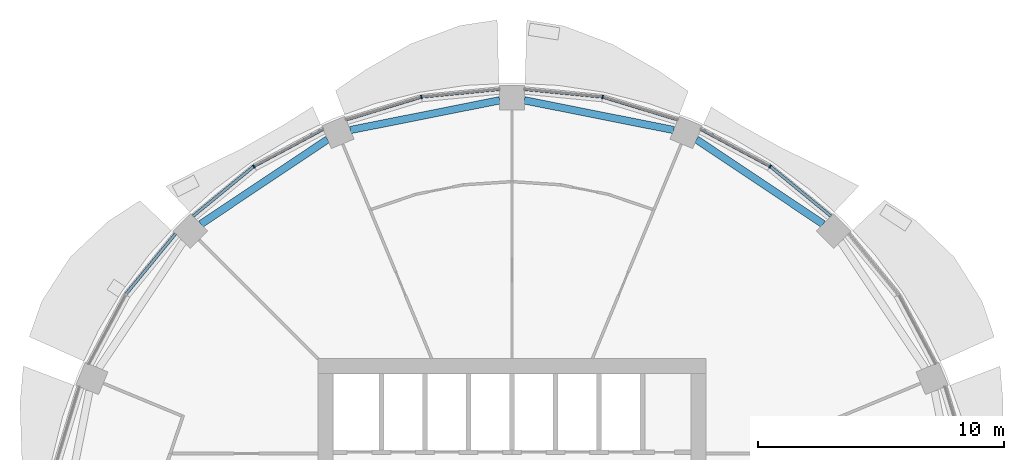
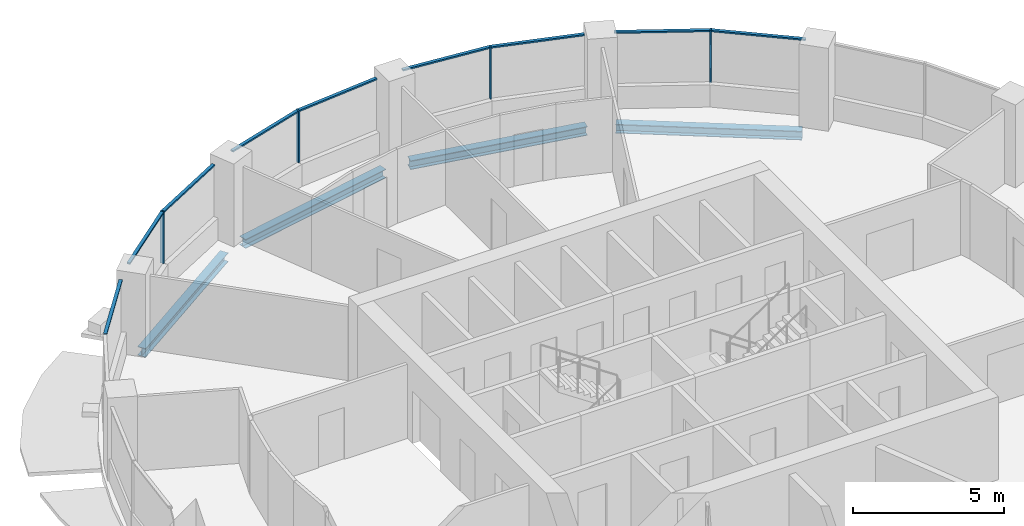
# One storey, part 6 of 15: 13 members, 4 beams, 5 elements without a shape of their own.
"""IFC4 building model written with IfcOpenShell, lengths in metres."""

from ifc_helpers import new_model, si_unit, direction, frame, origin, origin_2d, place, context, subcontext, project, spatial, rectangle, i_section, extrude, material, material_profile, profile_set, type_object, element, aggregate, save


model = new_model("IFC4")

# Units and contexts
model_context = context("Model", 3, precision=1e-05, world=origin(), true_north=direction((0.0, 1.0)))
body_context = subcontext(model_context, "Body", "Model", "MODEL_VIEW")
ifc_project = project(units=[si_unit("LENGTHUNIT", "METRE"), si_unit("AREAUNIT", "SQUARE_METRE"), si_unit("VOLUMEUNIT", "CUBIC_METRE"), si_unit("PLANEANGLEUNIT", "RADIAN"), si_unit("MASSUNIT", "GRAM", prefix="KILO")], contexts=[model_context])

# Site, building, storey
site_placement = place(None, origin())
site = spatial("IfcSite", under=ifc_project, at=site_placement, CompositionType="ELEMENT")
building_placement = place(site_placement, origin())
building = spatial("IfcBuilding", under=site, at=building_placement, Name="Polderwave Tower", CompositionType="ELEMENT")
storey_placement = place(building_placement, frame((0.0, 0.0, 124.300048828125)))
storey = spatial("IfcBuildingStorey", under=building, at=storey_placement, Name="L32", CompositionType="ELEMENT", Elevation=124.300048828125)

# Curtain wall, member
ifc_material_1 = material(Name="Aluminium 6063-T6 and glass", Category="aluminium")
curtain_wall_type = type_object("IfcCurtainWallType", Name="Office ribbon glazing wall", PredefinedType="NOTDEFINED", material=ifc_material_1)
curtain_wall_1_placement = place(storey_placement, origin())
curtain_wall_1 = element("IfcCurtainWall", 1, at=curtain_wall_1_placement, inside=storey, type_object=curtain_wall_type, Name="CW3 L32 02", PredefinedType="NOTDEFINED")
ifc_material_2 = material(Name="Aluminium 6063-T6", Category="aluminium")
ifc_material_profile_1 = material_profile(ifc_material_2, rectangle(XDim=0.139892578125, YDim=0.054931640625, at=origin_2d()), Name="AL 55x140")
ifc_profile_set_1 = profile_set([ifc_material_profile_1], Name="Aluminium 6063-T6")
member_type_1 = type_object("IfcMemberType", Name="Office ribbon glazing mullion 55x140", PredefinedType="MULLION", material=ifc_profile_set_1)
member_1_placement = place(storey_placement, frame((10.47802734375, 15.681884765625, 0.89990234375), z_axis=(0.0, 0.0, 1.0), x_axis=(-0.555594902975, -0.831453127836, 0.0)))
member_1 = element("IfcMember", 2, at=member_1_placement, type_object=member_type_1, Name="CW3 mullion 1", PredefinedType="MULLION", context=body_context, shape_type="SweptSolid", body=[
    extrude(rectangle(XDim=0.139892578125, YDim=0.054931640625, at=origin_2d()), origin(), (0.0, 0.0, 1.0), 2.10009765625),
])

curtain_wall_2_placement = place(storey_placement, origin())
curtain_wall_2 = element("IfcCurtainWall", 3, at=curtain_wall_2_placement, inside=storey, type_object=curtain_wall_type, Name="CW3 L32 03", PredefinedType="NOTDEFINED")
member_2_placement = place(storey_placement, frame((3.678955078125, 18.498046875, 0.89990234375), z_axis=(0.0, 0.0, 1.0), x_axis=(-0.195127981324, -0.98077778875, 0.0)))
member_2 = element("IfcMember", 4, at=member_2_placement, type_object=member_type_1, Name="CW3 mullion 1", PredefinedType="MULLION", context=body_context, shape_type="SweptSolid", body=[
    extrude(rectangle(XDim=0.139892578125, YDim=0.054931640625, at=origin_2d()), origin(), (0.0, 0.0, 1.0), 2.10009765625),
])

curtain_wall_3_placement = place(storey_placement, origin())
curtain_wall_3 = element("IfcCurtainWall", 5, at=curtain_wall_3_placement, inside=storey, type_object=curtain_wall_type, Name="CW3 L32 04", PredefinedType="NOTDEFINED")
member_3_placement = place(storey_placement, frame((-3.678955078125, 18.498046875, 0.89990234375), z_axis=(0.0, 0.0, 1.0), x_axis=(0.195127981324, -0.98077778875, 0.0)))
member_3 = element("IfcMember", 6, at=member_3_placement, type_object=member_type_1, Name="CW3 mullion 1", PredefinedType="MULLION", context=body_context, shape_type="SweptSolid", body=[
    extrude(rectangle(XDim=0.139892578125, YDim=0.054931640625, at=origin_2d()), origin(), (0.0, 0.0, 1.0), 2.10009765625),
])

curtain_wall_4_placement = place(storey_placement, origin())
curtain_wall_4 = element("IfcCurtainWall", 7, at=curtain_wall_4_placement, inside=storey, type_object=curtain_wall_type, Name="CW3 L32 05", PredefinedType="NOTDEFINED")
member_4_placement = place(storey_placement, frame((-10.47802734375, 15.681884765625, 0.89990234375), z_axis=(0.0, 0.0, 1.0), x_axis=(0.555594902975, -0.831453127836, 0.0)))
member_4 = element("IfcMember", 8, at=member_4_placement, type_object=member_type_1, Name="CW3 mullion 1", PredefinedType="MULLION", context=body_context, shape_type="SweptSolid", body=[
    extrude(rectangle(XDim=0.139892578125, YDim=0.054931640625, at=origin_2d()), origin(), (0.0, 0.0, 1.0), 2.10009765625),
])

# Member
ifc_material_profile_2 = material_profile(ifc_material_2, rectangle(XDim=0.1201171875, YDim=0.06005859375, at=origin_2d()), Name="AL 60x120")
ifc_profile_set_2 = profile_set([ifc_material_profile_2], Name="Aluminium 6063-T6")
member_type_2 = type_object("IfcMemberType", Name="Office ribbon glazing transom 60x120", PredefinedType="USERDEFINED", material=ifc_profile_set_2)
member_5_placement = place(storey_placement, frame((12.947998046875, 13.655029296875, 2.969970703125), z_axis=(-0.773025883871, 0.634374481569, 0.0), x_axis=(-0.634374481569, -0.773025883871, 0.0)))
member_5 = element("IfcMember", 9, at=member_5_placement, type_object=member_type_2, Name="CW3 transom 1", ObjectType="TRANSOM", PredefinedType="USERDEFINED", context=body_context, shape_type="SweptSolid", body=[
    extrude(rectangle(XDim=0.1201171875, YDim=0.06005859375, at=origin_2d()), origin(), (0.0, 0.0, 1.0), 3.167724609375),
])

member_6_placement = place(storey_placement, frame((10.45361328125, 15.695068359375, 2.969970703125), z_axis=(-0.881897958208, 0.471440336956, 0.0), x_axis=(-0.471440336956, -0.881897958208, 0.0)))
member_6 = element("IfcMember", 10, at=member_6_placement, type_object=member_type_2, Name="CW3 transom 2", ObjectType="TRANSOM", PredefinedType="USERDEFINED", context=body_context, shape_type="SweptSolid", body=[
    extrude(rectangle(XDim=0.1201171875, YDim=0.06005859375, at=origin_2d()), origin(), (0.0, 0.0, 1.0), 3.166748046875),
])

aggregate(curtain_wall_1, [member_1, member_5, member_6])

member_7_placement = place(storey_placement, frame((6.737060546875, 17.570068359375, 2.969970703125), z_axis=(-0.95691805195, 0.290358126892, 0.0), x_axis=(-0.290358126892, -0.95691805195, 0.0)))
member_7 = element("IfcMember", 11, at=member_7_placement, type_object=member_type_2, Name="CW3 transom 1", ObjectType="TRANSOM", PredefinedType="USERDEFINED", context=body_context, shape_type="SweptSolid", body=[
    extrude(rectangle(XDim=0.1201171875, YDim=0.06005859375, at=origin_2d()), origin(), (0.0, 0.0, 1.0), 3.168212890625),
])

member_8_placement = place(storey_placement, frame((3.651611328125, 18.500732421875, 2.969970703125), z_axis=(-0.9951879261, 0.09798465056, 0.0), x_axis=(-0.09798465056, -0.9951879261, 0.0)))
member_8 = element("IfcMember", 12, at=member_8_placement, type_object=member_type_2, Name="CW3 transom 2", ObjectType="TRANSOM", PredefinedType="USERDEFINED", context=body_context, shape_type="SweptSolid", body=[
    extrude(rectangle(XDim=0.1201171875, YDim=0.06005859375, at=origin_2d()), origin(), (0.0, 0.0, 1.0), 3.166748046875),
])

aggregate(curtain_wall_2, [member_2, member_7, member_8])

member_9_placement = place(storey_placement, frame((-0.5, 18.81103515625, 2.969970703125), z_axis=(-0.9951879261, -0.09798465056, 0.0), x_axis=(0.09798465056, -0.9951879261, 0.0)))
member_9 = element("IfcMember", 13, at=member_9_placement, type_object=member_type_2, Name="CW3 transom 1", ObjectType="TRANSOM", PredefinedType="USERDEFINED", context=body_context, shape_type="SweptSolid", body=[
    extrude(rectangle(XDim=0.1201171875, YDim=0.06005859375, at=origin_2d()), origin(), (0.0, 0.0, 1.0), 3.166748046875),
])

member_10_placement = place(storey_placement, frame((-3.705322265625, 18.489990234375, 2.969970703125), z_axis=(-0.95691805195, -0.290358126892, 0.0), x_axis=(0.290358126892, -0.95691805195, 0.0)))
member_10 = element("IfcMember", 14, at=member_10_placement, type_object=member_type_2, Name="CW3 transom 2", ObjectType="TRANSOM", PredefinedType="USERDEFINED", context=body_context, shape_type="SweptSolid", body=[
    extrude(rectangle(XDim=0.1201171875, YDim=0.06005859375, at=origin_2d()), origin(), (0.0, 0.0, 1.0), 3.168212890625),
])

aggregate(curtain_wall_3, [member_3, member_9, member_10])

member_11_placement = place(storey_placement, frame((-7.660888671875, 17.18798828125, 2.969970703125), z_axis=(-0.881897958208, -0.471440336956, 0.0), x_axis=(0.471440336956, -0.881897958208, 0.0)))
member_11 = element("IfcMember", 15, at=member_11_placement, type_object=member_type_2, Name="CW3 transom 1", ObjectType="TRANSOM", PredefinedType="USERDEFINED", context=body_context, shape_type="SweptSolid", body=[
    extrude(rectangle(XDim=0.1201171875, YDim=0.06005859375, at=origin_2d()), origin(), (0.0, 0.0, 1.0), 3.166748046875),
])

member_12_placement = place(storey_placement, frame((-10.499267578125, 15.66455078125, 2.969970703125), z_axis=(-0.773025883871, -0.634374481569, 0.0), x_axis=(0.634374481569, -0.773025883871, 0.0)))
member_12 = element("IfcMember", 16, at=member_12_placement, type_object=member_type_2, Name="CW3 transom 2", ObjectType="TRANSOM", PredefinedType="USERDEFINED", context=body_context, shape_type="SweptSolid", body=[
    extrude(rectangle(XDim=0.1201171875, YDim=0.06005859375, at=origin_2d()), origin(), (0.0, 0.0, 1.0), 3.167724609375),
])

aggregate(curtain_wall_4, [member_4, member_11, member_12])

# Curtain wall, member
curtain_wall_5_placement = place(storey_placement, origin())
curtain_wall_5 = element("IfcCurtainWall", 17, at=curtain_wall_5_placement, inside=storey, type_object=curtain_wall_type, Name="CW3 L32 06", PredefinedType="NOTDEFINED")
member_13_placement = place(storey_placement, frame((-13.655029296875, 12.947998046875, 2.969970703125), z_axis=(-0.634374481569, -0.773025883871, 0.0), x_axis=(0.773025883871, -0.634374481569, 0.0)))
member_13 = element("IfcMember", 18, at=member_13_placement, type_object=member_type_2, Name="CW3 transom 1", ObjectType="TRANSOM", PredefinedType="USERDEFINED", context=body_context, shape_type="SweptSolid", body=[
    extrude(rectangle(XDim=0.1201171875, YDim=0.06005859375, at=origin_2d()), origin(), (0.0, 0.0, 1.0), 3.167724609375),
])
aggregate(curtain_wall_5, [member_13])

# Beams
ifc_material_3 = material(Name="Steel S355", Category="steel")
ifc_material_profile_3 = material_profile(ifc_material_3, i_section(OverallWidth=0.300048828125, OverallDepth=0.360107421875, WebThickness=0.012451171875, FlangeThickness=0.0224609375, at=origin_2d()), Name="HE 360 B")
ifc_profile_set_3 = profile_set([ifc_material_profile_3], Name="Steel S355")
beam_type = type_object("IfcBeamType", Name="RING BEAM HE 360 B", PredefinedType="BEAM", material=ifc_profile_set_3)
beam_1_placement = place(storey_placement, frame((12.62939453125, 13.33642578125, -0.530029296875), z_axis=(-0.831478837086, 0.555556426907, 0.0), x_axis=(-0.555556426907, -0.831478837086, 0.0)))
element("IfcBeam", 19, at=beam_1_placement, inside=storey, type_object=beam_type, Name="ST-RB-L32-02", PredefinedType="BEAM", context=body_context, shape_type="SweptSolid", body=[
    extrude(i_section(OverallWidth=0.300048828125, OverallDepth=0.360107421875, WebThickness=0.012451171875, FlangeThickness=0.0224609375, at=origin_2d()), origin(), (0.0, 0.0, 1.0), 6.18310546875),
])
for number, where, z_axis, x_axis, name in (
    (20, (6.564453125, 17.154296875, -0.530029296875), (-0.980785153523, 0.195090959886, 0.0), (-0.195090959886, -0.980785153523, 0.0), "ST-RB-L32-03"),
    (21, (-0.5, 18.360595703125, -0.530029296875), (-0.980785153523, -0.195090959886, 0.0), (0.195090959886, -0.980785153523, 0.0), "ST-RB-L32-04"),
):
    element("IfcBeam", number, at=place(storey_placement, frame(where, z_axis=z_axis, x_axis=x_axis)), inside=storey, type_object=beam_type, Name=name, PredefinedType="BEAM", context=body_context, shape_type="SweptSolid", body=[
        extrude(i_section(OverallWidth=0.300048828125, OverallDepth=0.360107421875, WebThickness=0.012451171875, FlangeThickness=0.0224609375, at=origin_2d()), origin(), (0.0, 0.0, 1.0), 6.183349609375),
    ])
beam_2_placement = place(storey_placement, frame((-7.48828125, 16.771484375, -0.530029296875), z_axis=(-0.831478837086, -0.555556426907, 0.0), x_axis=(0.555556426907, -0.831478837086, 0.0)))
element("IfcBeam", 22, at=beam_2_placement, inside=storey, type_object=beam_type, Name="ST-RB-L32-05", PredefinedType="BEAM", context=body_context, shape_type="SweptSolid", body=[
    extrude(i_section(OverallWidth=0.300048828125, OverallDepth=0.360107421875, WebThickness=0.012451171875, FlangeThickness=0.0224609375, at=origin_2d()), origin(), (0.0, 0.0, 1.0), 6.18310546875),
])

save(model, "model.ifc")
